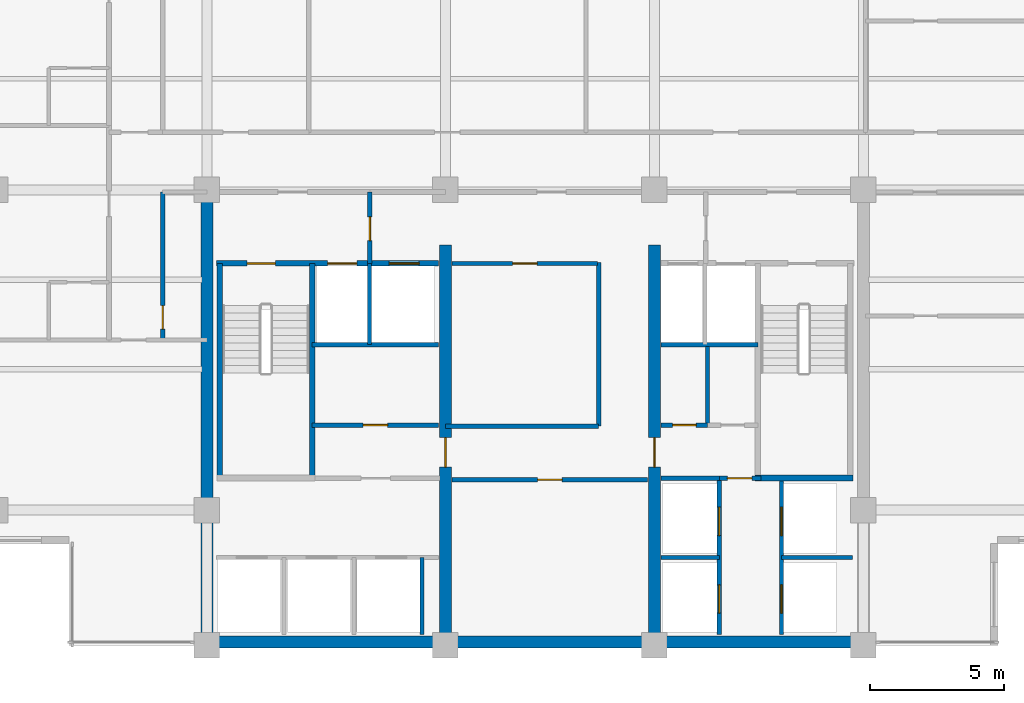
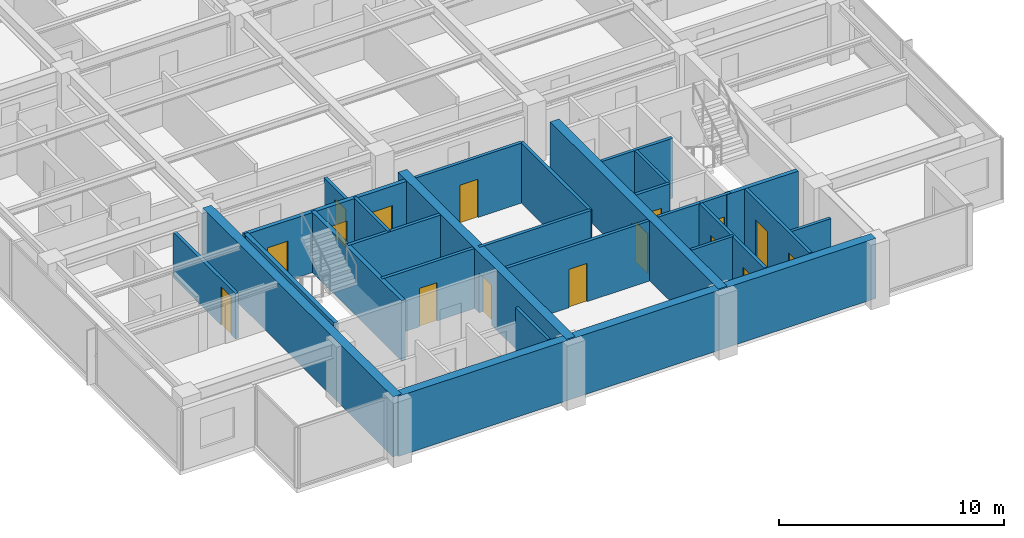
# One storey, part 7 of 14: 27 walls, 16 doors, 16 openings.
"""IFC4 building model written with IfcOpenShell, lengths in metres."""

from ifc_helpers import new_model, si_unit, direction, frame, frame_2d, origin, place, context, subcontext, project, spatial, rectangle, extrude, material, layer, layer_set, type_object, element, fill, save


model = new_model("IFC4")

# Units and contexts
model_context = context("Model", 3, precision=1e-05, world=origin(), true_north=direction((0.0, 1.0)))
body_context = subcontext(model_context, "Body", "Model", "MODEL_VIEW")
ifc_project = project(units=[si_unit("LENGTHUNIT", "METRE"), si_unit("AREAUNIT", "SQUARE_METRE"), si_unit("VOLUMEUNIT", "CUBIC_METRE"), si_unit("PLANEANGLEUNIT", "RADIAN"), si_unit("MASSUNIT", "GRAM", prefix="KILO")], contexts=[model_context])

# Site, building, storey
site_placement = place(None, origin())
site = spatial("IfcSite", under=ifc_project, at=site_placement, CompositionType="ELEMENT")
building_placement = place(site_placement, origin())
building = spatial("IfcBuilding", under=site, at=building_placement, Name="Qalmaran Belvedere Hotel", CompositionType="ELEMENT")
storey_placement = place(building_placement, frame((0.0, 0.0, 207.39990234375)))
storey = spatial("IfcBuildingStorey", under=building, at=storey_placement, Name="L52", CompositionType="ELEMENT", Elevation=207.39990234375)

# Wall
ifc_material_1 = material(Name="Concrete C50/60", Category="concrete")
ifc_layer_1 = layer(ifc_material_1, 0.449951171875, Name="Concrete C50/60")
ifc_layer_set_1 = layer_set([ifc_layer_1], Name="Concrete C50/60")
wall_type_1 = type_object("IfcWallType", Name="WL-CORE-450-C50", PredefinedType="SHEAR", material=ifc_layer_set_1)
wall_1_placement = place(storey_placement, frame((20.300048828125, 3.5, 0.0), z_axis=(0.0, 0.0, 1.0), x_axis=(0.0, 1.0, 0.0)))
element("IfcWall", 1, at=wall_1_placement, inside=storey, type_object=wall_type_1, Name="L52 West Core Shear Wall", PredefinedType="SHEAR", context=body_context, shape_type="SweptSolid", body=[
    extrude(rectangle(XDim=16.89990234375, YDim=0.449951171875, at=frame_2d((8.449951171875, 0.0))), origin(), (0.0, 0.0, 1.0), 3.260009765625),
])

# Wall, opening, door
wall_2_placement = place(storey_placement, frame((29.199951171875, 3.5, 0.0), z_axis=(0.0, 0.0, 1.0), x_axis=(0.0, 1.0, 0.0)))
wall_2 = element("IfcWall", 2, at=wall_2_placement, inside=storey, type_object=wall_type_1, Name="L52 Core West Spine Shear Wall", PredefinedType="SHEAR", context=body_context, shape_type="SweptSolid", body=[
    extrude(rectangle(XDim=14.949951171875, YDim=0.449951171875, at=frame_2d((7.47509765625, 0.0))), origin(), (0.0, 0.0, 1.0), 3.260009765625),
])
opening_1_placement = place(wall_2_placement, frame((7.75, 0.0, 0.0), z_axis=(0.0, 0.0, 1.0), x_axis=(-1.0, 0.0, 0.0)))
opening_1 = element("IfcOpeningElement", 3, at=opening_1_placement, cuts=wall_2, Name="Opening FD90", PredefinedType="OPENING", context=body_context, shape_type="SweptSolid", body=[
    extrude(rectangle(XDim=1.10009765625, YDim=2.14990234375, at=frame_2d((0.550048828125, 1.074951171875))), frame((0.0, 0.23486328125, 0.0), z_axis=(0.0, -1.0, 0.0), x_axis=(1.0, 0.0, 0.0)), (0.0, 0.0, 1.0), 0.469970703125),
])
ifc_material_2 = material(Name="Steel S355JR", Category="steel")
door_type_1 = type_object("IfcDoorType", Name="DR-FD90-1100X2150", OperationType="NOTDEFINED", PredefinedType="DOOR", material=ifc_material_2)
door_1_placement = place(opening_1_placement, origin())
door_1 = element("IfcDoor", 4, at=door_1_placement, inside=storey, type_object=door_type_1, Name="L52 Core West Cross-Lobby Door", OperationType="SINGLE_SWING_RIGHT", OverallHeight=2.14990234375, OverallWidth=1.10009765625, PredefinedType="DOOR", context=body_context, shape_type="SweptSolid", body=[
    extrude(rectangle(XDim=1.10009765625, YDim=2.14990234375, at=frame_2d((0.550048828125, 1.074951171875))), frame((0.0, 0.02490234375, 0.0), z_axis=(0.0, -1.0, 0.0), x_axis=(1.0, 0.0, 0.0)), (0.0, 0.0, 1.0), 0.050048828125),
])
fill(opening_1, door_1)

wall_3_placement = place(storey_placement, frame((37.0, 3.5, 0.0), z_axis=(0.0, 0.0, 1.0), x_axis=(0.0, 1.0, 0.0)))
wall_3 = element("IfcWall", 5, at=wall_3_placement, inside=storey, type_object=wall_type_1, Name="L52 Core East Spine Shear Wall", PredefinedType="SHEAR", context=body_context, shape_type="SweptSolid", body=[
    extrude(rectangle(XDim=14.949951171875, YDim=0.449951171875, at=frame_2d((7.47509765625, 0.0))), origin(), (0.0, 0.0, 1.0), 3.260009765625),
])
opening_2_placement = place(wall_3_placement, frame((6.64990234375, 0.0, 0.0)))
opening_2 = element("IfcOpeningElement", 6, at=opening_2_placement, cuts=wall_3, Name="Opening FD90", PredefinedType="OPENING", context=body_context, shape_type="SweptSolid", body=[
    extrude(rectangle(XDim=1.10009765625, YDim=2.14990234375, at=frame_2d((0.550048828125, 1.074951171875))), frame((0.0, 0.23486328125, 0.0), z_axis=(0.0, -1.0, 0.0), x_axis=(1.0, 0.0, 0.0)), (0.0, 0.0, 1.0), 0.469970703125),
])
door_2_placement = place(opening_2_placement, origin())
door_2 = element("IfcDoor", 7, at=door_2_placement, inside=storey, type_object=door_type_1, Name="L52 Core East Cross-Lobby Door", OperationType="SINGLE_SWING_LEFT", OverallHeight=2.14990234375, OverallWidth=1.10009765625, PredefinedType="DOOR", context=body_context, shape_type="SweptSolid", body=[
    extrude(rectangle(XDim=1.10009765625, YDim=2.14990234375, at=frame_2d((0.550048828125, 1.074951171875))), frame((0.0, 0.02490234375, 0.0), z_axis=(0.0, -1.0, 0.0), x_axis=(1.0, 0.0, 0.0)), (0.0, 0.0, 1.0), 0.050048828125),
])
fill(opening_2, door_2)

# Walls
ifc_layer_2 = layer(ifc_material_1, 0.43994140625, Name="Concrete C50/60")
ifc_layer_set_2 = layer_set([ifc_layer_2], Name="Concrete C50/60")
wall_type_2 = type_object("IfcWallType", Name="WL-CORES-440-EXT", PredefinedType="SHEAR", material=ifc_layer_set_2)
wall_4_placement = place(storey_placement, frame((20.300048828125, 3.6298828125, 0.0), z_axis=(0.0, 0.0, 1.0), x_axis=(1.0, 0.0, 0.0)))
element("IfcWall", 8, at=wall_4_placement, inside=storey, type_object=wall_type_2, Name="L52 South Core Shear Wall", PredefinedType="SHEAR", context=body_context, shape_type="SweptSolid", body=[
    extrude(rectangle(XDim=24.5, YDim=0.43994140625, at=frame_2d((12.25, 0.0))), origin(), (0.0, 0.0, 1.0), 3.260009765625),
])
ifc_material_3 = material(Name="Gypsum Stud Partition")
ifc_layer_3 = layer(ifc_material_3, 0.14990234375, Name="Gypsum Stud Partition")
ifc_layer_set_3 = layer_set([ifc_layer_3], Name="Gypsum Stud Partition")
wall_type_3 = type_object("IfcWallType", Name="WL-INT-150-EI120", PredefinedType="PARTITIONING", material=ifc_layer_set_3)
wall_5_placement = place(storey_placement, frame((26.360107421875, 14.719970703125, 0.0), z_axis=(0.0, 0.0, 1.0), x_axis=(0.0, 1.0, 0.0)))
element("IfcWall", 9, at=wall_5_placement, inside=storey, type_object=wall_type_3, Name="L52 Partition WL-FF1M-L52", PredefinedType="PARTITIONING", context=body_context, shape_type="SweptSolid", body=[
    extrude(rectangle(XDim=3.0400390625, YDim=0.14990234375, at=frame_2d((1.52001953125, 0.0))), origin(), (0.0, 0.0, 1.0), 3.260009765625),
])
wall_6_placement = place(storey_placement, frame((28.320068359375, 3.89990234375, 0.0), z_axis=(0.0, 0.0, 1.0), x_axis=(0.0, 1.0, 0.0)))
element("IfcWall", 10, at=wall_6_placement, inside=storey, type_object=wall_type_3, Name="L52 Partition WL-POM3-L52", PredefinedType="PARTITIONING", context=body_context, shape_type="SweptSolid", body=[
    extrude(rectangle(XDim=2.880126953125, YDim=0.14990234375, at=frame_2d((1.43994140625, 0.0))), origin(), (0.0, 0.0, 1.0), 3.260009765625),
])
wall_7_placement = place(storey_placement, frame((37.25, 6.780029296875, 0.0), z_axis=(0.0, 0.0, 1.0), x_axis=(1.0, 0.0, 0.0)))
element("IfcWall", 11, at=wall_7_placement, inside=storey, type_object=wall_type_3, Name="L52 Partition WL-PHMW-L52", PredefinedType="PARTITIONING", context=body_context, shape_type="SweptSolid", body=[
    extrude(rectangle(XDim=2.169921875, YDim=0.14990234375, at=frame_2d((1.0849609375, 0.0))), origin(), (0.0, 0.0, 1.0), 3.260009765625),
])
wall_8_placement = place(storey_placement, frame((41.739990234375, 6.780029296875, 0.0), z_axis=(0.0, 0.0, 1.0), x_axis=(1.0, 0.0, 0.0)))
element("IfcWall", 12, at=wall_8_placement, inside=storey, type_object=wall_type_3, Name="L52 Partition WL-PHME-L52", PredefinedType="PARTITIONING", context=body_context, shape_type="SweptSolid", body=[
    extrude(rectangle(XDim=2.659912109375, YDim=0.14990234375, at=frame_2d((1.330078125, 0.0))), origin(), (0.0, 0.0, 1.0), 2.47216796875),
])
ifc_layer_4 = layer(ifc_material_3, 0.14990234375, Name="Gypsum Stud Partition")
ifc_layer_set_4 = layer_set([ifc_layer_4], Name="Gypsum Stud Partition")
wall_type_4 = type_object("IfcWallType", Name="WL-INT-150-EI60", PredefinedType="PARTITIONING", material=ifc_layer_set_4)
wall_9_placement = place(storey_placement, frame((38.98291015625, 11.719970703125, 0.0), z_axis=(0.0, 0.0, 1.0), x_axis=(0.0, 1.0, 0.0)))
element("IfcWall", 13, at=wall_9_placement, inside=storey, type_object=wall_type_4, Name="L52 Partition WL-L52-KEV1", PredefinedType="PARTITIONING", context=body_context, shape_type="SweptSolid", body=[
    extrude(rectangle(XDim=2.929931640625, YDim=0.14990234375, at=frame_2d((1.46484375, 0.0))), origin(), (0.0, 0.0, 1.0), 3.260009765625),
])

# Wall, opening, door
ifc_layer_5 = layer(ifc_material_3, 0.159912109375, Name="Gypsum Stud Partition")
ifc_layer_set_5 = layer_set([ifc_layer_5], Name="Gypsum Stud Partition")
wall_type_5 = type_object("IfcWallType", Name="WL-INT-160-EI120", PredefinedType="PARTITIONING", material=ifc_layer_set_5)
wall_10_placement = place(storey_placement, frame((26.3798828125, 17.760009765625, 0.0), z_axis=(0.0, 0.0, 1.0), x_axis=(0.0, 1.0, 0.0)))
wall_10 = element("IfcWall", 14, at=wall_10_placement, inside=storey, type_object=wall_type_5, Name="L52 Partition WL-FFSV1-L52", PredefinedType="PARTITIONING", context=body_context, shape_type="SweptSolid", body=[
    extrude(rectangle(XDim=2.659912109375, YDim=0.159912109375, at=frame_2d((1.330078125, 0.0))), origin(), (0.0, 0.0, 1.0), 2.7060546875),
])
opening_3_placement = place(wall_10_placement, frame((0.85009765625, 0.0, 0.0)))
opening_3 = element("IfcOpeningElement", 15, at=opening_3_placement, cuts=wall_10, Name="Opening FD60B", PredefinedType="OPENING", context=body_context, shape_type="SweptSolid", body=[
    extrude(rectangle(XDim=0.8798828125, YDim=2.080078125, at=frame_2d((0.43994140625, 1.0400390625))), frame((0.0, 0.08984375, 0.0), z_axis=(0.0, -1.0, 0.0), x_axis=(1.0, 0.0, 0.0)), (0.0, 0.0, 1.0), 0.179931640625),
])
door_type_2 = type_object("IfcDoorType", Name="DR-FD60B-880X2080", OperationType="NOTDEFINED", PredefinedType="DOOR", material=ifc_material_2)
door_3_placement = place(opening_3_placement, origin())
door_3 = element("IfcDoor", 16, at=door_3_placement, inside=storey, type_object=door_type_2, Name="L52 Service Lobby West Door", OperationType="SINGLE_SWING_RIGHT", OverallHeight=2.080078125, OverallWidth=0.8798828125, PredefinedType="DOOR", context=body_context, shape_type="SweptSolid", body=[
    extrude(rectangle(XDim=0.8798828125, YDim=2.080078125, at=frame_2d((0.43994140625, 1.0400390625))), frame((0.0, 0.02490234375, 0.0), z_axis=(0.0, -1.0, 0.0), x_axis=(1.0, 0.0, 0.0)), (0.0, 0.0, 1.0), 0.050048828125),
])
fill(opening_3, door_3)

# Walls
wall_11_placement = place(storey_placement, frame((24.219970703125, 14.719970703125, 0.0), z_axis=(0.0, 0.0, 1.0), x_axis=(1.0, 0.0, 0.0)))
element("IfcWall", 17, at=wall_11_placement, inside=storey, type_object=wall_type_5, Name="L52 Partition WL-FF1S-L52", PredefinedType="PARTITIONING", context=body_context, shape_type="SweptSolid", body=[
    extrude(rectangle(XDim=4.72998046875, YDim=0.159912109375, at=frame_2d((2.364990234375, 0.0))), origin(), (0.0, 0.0, 1.0), 3.260009765625),
])
wall_12_placement = place(storey_placement, frame((37.25, 14.719970703125, 0.0), z_axis=(0.0, 0.0, 1.0), x_axis=(1.0, 0.0, 0.0)))
element("IfcWall", 18, at=wall_12_placement, inside=storey, type_object=wall_type_5, Name="L52 Partition WL-FF2S-L52", PredefinedType="PARTITIONING", context=body_context, shape_type="SweptSolid", body=[
    extrude(rectangle(XDim=3.610107421875, YDim=0.159912109375, at=frame_2d((1.80517578125, 0.0))), origin(), (0.0, 0.0, 1.0), 3.260009765625),
])

# Wall, openings, doors
wall_13_placement = place(storey_placement, frame((39.419921875, 3.89990234375, 0.0), z_axis=(0.0, 0.0, 1.0), x_axis=(0.0, 1.0, 0.0)))
wall_13 = element("IfcWall", 19, at=wall_13_placement, inside=storey, type_object=wall_type_5, Name="L52 Partition WL-PHW-L52", PredefinedType="PARTITIONING", context=body_context, shape_type="SweptSolid", body=[
    extrude(rectangle(XDim=5.840087890625, YDim=0.159912109375, at=frame_2d((2.919921875, 0.0))), origin(), (0.0, 0.0, 1.0), 3.260009765625),
])
opening_4_placement = place(wall_13_placement, frame((1.860107421875, 0.0, 0.0), z_axis=(0.0, 0.0, 1.0), x_axis=(-1.0, 0.0, 0.0)))
opening_4 = element("IfcOpeningElement", 20, at=opening_4_placement, cuts=wall_13, Name="Opening LD-P2", PredefinedType="OPENING", context=body_context, shape_type="SweptSolid", body=[
    extrude(rectangle(XDim=1.06005859375, YDim=2.159912109375, at=frame_2d((0.530029296875, 1.080078125))), frame((0.0, 0.08984375, 0.0), z_axis=(0.0, -1.0, 0.0), x_axis=(1.0, 0.0, 0.0)), (0.0, 0.0, 1.0), 0.179931640625),
])
opening_5_placement = place(wall_13_placement, frame((4.760009765625, 0.0, 0.0), z_axis=(0.0, 0.0, 1.0), x_axis=(-1.0, 0.0, 0.0)))
opening_5 = element("IfcOpeningElement", 21, at=opening_5_placement, cuts=wall_13, Name="Opening LD-P2", PredefinedType="OPENING", context=body_context, shape_type="SweptSolid", body=[
    extrude(rectangle(XDim=1.06005859375, YDim=2.159912109375, at=frame_2d((0.530029296875, 1.080078125))), frame((0.0, 0.08984375, 0.0), z_axis=(0.0, -1.0, 0.0), x_axis=(1.0, 0.0, 0.0)), (0.0, 0.0, 1.0), 0.179931640625),
])
ifc_material_4 = material(Name="Stainless Steel 1.4401", Category="steel")
door_type_3 = type_object("IfcDoorType", Name="DR-LIFT-P2-1060X2160", OperationType="DOUBLE_DOOR_SLIDING", PredefinedType="DOOR", material=ifc_material_4)
door_4_placement = place(opening_4_placement, origin())
door_4 = element("IfcDoor", 22, at=door_4_placement, inside=storey, type_object=door_type_3, Name="L52 PH1 Lift Landing Door", OperationType="DOUBLE_DOOR_SLIDING", OverallHeight=2.159912109375, OverallWidth=1.06005859375, PredefinedType="DOOR", context=body_context, shape_type="SweptSolid", body=[
    extrude(rectangle(XDim=1.06005859375, YDim=2.159912109375, at=frame_2d((0.530029296875, 1.080078125))), frame((0.0, 0.02490234375, 0.0), z_axis=(0.0, -1.0, 0.0), x_axis=(1.0, 0.0, 0.0)), (0.0, 0.0, 1.0), 0.050048828125),
])
fill(opening_4, door_4)
door_5_placement = place(opening_5_placement, origin())
door_5 = element("IfcDoor", 23, at=door_5_placement, inside=storey, type_object=door_type_3, Name="L52 PH2 Lift Landing Door", OperationType="DOUBLE_DOOR_SLIDING", OverallHeight=2.159912109375, OverallWidth=1.06005859375, PredefinedType="DOOR", context=body_context, shape_type="SweptSolid", body=[
    extrude(rectangle(XDim=1.06005859375, YDim=2.159912109375, at=frame_2d((0.530029296875, 1.080078125))), frame((0.0, 0.02490234375, 0.0), z_axis=(0.0, -1.0, 0.0), x_axis=(1.0, 0.0, 0.0)), (0.0, 0.0, 1.0), 0.050048828125),
])
fill(opening_5, door_5)

wall_14_placement = place(storey_placement, frame((41.739990234375, 3.89990234375, 0.0), z_axis=(0.0, 0.0, 1.0), x_axis=(0.0, 1.0, 0.0)))
wall_14 = element("IfcWall", 24, at=wall_14_placement, inside=storey, type_object=wall_type_5, Name="L52 Partition WL-PHE-L52", PredefinedType="PARTITIONING", context=body_context, shape_type="SweptSolid", body=[
    extrude(rectangle(XDim=5.840087890625, YDim=0.159912109375, at=frame_2d((2.919921875, 0.0))), origin(), (0.0, 0.0, 1.0), 3.260009765625),
])
opening_6_placement = place(wall_14_placement, frame((0.800048828125, 0.0, 0.0)))
opening_6 = element("IfcOpeningElement", 25, at=opening_6_placement, cuts=wall_14, Name="Opening LD-P2", PredefinedType="OPENING", context=body_context, shape_type="SweptSolid", body=[
    extrude(rectangle(XDim=1.06005859375, YDim=2.159912109375, at=frame_2d((0.530029296875, 1.080078125))), frame((0.0, 0.08984375, 0.0), z_axis=(0.0, -1.0, 0.0), x_axis=(1.0, 0.0, 0.0)), (0.0, 0.0, 1.0), 0.179931640625),
])
opening_7_placement = place(wall_14_placement, frame((3.699951171875, 0.0, 0.0)))
opening_7 = element("IfcOpeningElement", 26, at=opening_7_placement, cuts=wall_14, Name="Opening LD-P2", PredefinedType="OPENING", context=body_context, shape_type="SweptSolid", body=[
    extrude(rectangle(XDim=1.06005859375, YDim=2.159912109375, at=frame_2d((0.530029296875, 1.080078125))), frame((0.0, 0.08984375, 0.0), z_axis=(0.0, -1.0, 0.0), x_axis=(1.0, 0.0, 0.0)), (0.0, 0.0, 1.0), 0.179931640625),
])
door_6_placement = place(opening_6_placement, origin())
door_6 = element("IfcDoor", 27, at=door_6_placement, inside=storey, type_object=door_type_3, Name="L52 PH3 Lift Landing Door", OperationType="DOUBLE_DOOR_SLIDING", OverallHeight=2.159912109375, OverallWidth=1.06005859375, PredefinedType="DOOR", context=body_context, shape_type="SweptSolid", body=[
    extrude(rectangle(XDim=1.06005859375, YDim=2.159912109375, at=frame_2d((0.530029296875, 1.080078125))), frame((0.0, 0.02490234375, 0.0), z_axis=(0.0, -1.0, 0.0), x_axis=(1.0, 0.0, 0.0)), (0.0, 0.0, 1.0), 0.050048828125),
])
fill(opening_6, door_6)
door_7_placement = place(opening_7_placement, origin())
door_7 = element("IfcDoor", 28, at=door_7_placement, inside=storey, type_object=door_type_3, Name="L52 PH4 Lift Landing Door", OperationType="DOUBLE_DOOR_SLIDING", OverallHeight=2.159912109375, OverallWidth=1.06005859375, PredefinedType="DOOR", context=body_context, shape_type="SweptSolid", body=[
    extrude(rectangle(XDim=1.06005859375, YDim=2.159912109375, at=frame_2d((0.530029296875, 1.080078125))), frame((0.0, 0.02490234375, 0.0), z_axis=(0.0, -1.0, 0.0), x_axis=(1.0, 0.0, 0.0)), (0.0, 0.0, 1.0), 0.050048828125),
])
fill(opening_7, door_7)

# Wall
wall_15_placement = place(storey_placement, frame((37.25, 9.739990234375, 0.0), z_axis=(0.0, 0.0, 1.0), x_axis=(1.0, 0.0, 0.0)))
element("IfcWall", 29, at=wall_15_placement, inside=storey, type_object=wall_type_5, Name="L52 Partition WL-PHNW-L52", PredefinedType="PARTITIONING", context=body_context, shape_type="SweptSolid", body=[
    extrude(rectangle(XDim=2.169921875, YDim=0.159912109375, at=frame_2d((1.0849609375, 0.0))), origin(), (0.0, 0.0, 1.0), 3.260009765625),
])

# Wall, opening, door
wall_16_placement = place(storey_placement, frame((39.419921875, 9.739990234375, 0.0), z_axis=(0.0, 0.0, 1.0), x_axis=(1.0, 0.0, 0.0)))
wall_16 = element("IfcWall", 30, at=wall_16_placement, inside=storey, type_object=wall_type_5, Name="L52 Partition WL-PHNL-L52", PredefinedType="PARTITIONING", context=body_context, shape_type="SweptSolid", body=[
    extrude(rectangle(XDim=1.56005859375, YDim=0.159912109375, at=frame_2d((0.780029296875, 0.0))), origin(), (0.0, 0.0, 1.0), 3.260009765625),
])
opening_8_placement = place(wall_16_placement, frame((0.300048828125, 0.0, 0.0)))
opening_8 = element("IfcOpeningElement", 31, at=opening_8_placement, cuts=wall_16, Name="Opening FD60S1", PredefinedType="OPENING", context=body_context, shape_type="SweptSolid", body=[
    extrude(rectangle(XDim=0.919921875, YDim=2.080078125, at=frame_2d((0.4599609375, 1.0400390625))), frame((0.0, 0.08984375, 0.0), z_axis=(0.0, -1.0, 0.0), x_axis=(1.0, 0.0, 0.0)), (0.0, 0.0, 1.0), 0.179931640625),
])
ifc_material_5 = material(Name="Engineered Oak Veneer")
door_type_4 = type_object("IfcDoorType", Name="DR-FD60S-920X2080", OperationType="NOTDEFINED", PredefinedType="DOOR", material=ifc_material_5)
door_8_placement = place(opening_8_placement, origin())
door_8 = element("IfcDoor", 32, at=door_8_placement, inside=storey, type_object=door_type_4, Name="L52 High-Rise Lift Lobby Passage Door", OperationType="SINGLE_SWING_LEFT", OverallHeight=2.080078125, OverallWidth=0.919921875, PredefinedType="DOOR", context=body_context, shape_type="SweptSolid", body=[
    extrude(rectangle(XDim=0.919921875, YDim=2.080078125, at=frame_2d((0.4599609375, 1.0400390625))), frame((0.0, 0.02490234375, 0.0), z_axis=(0.0, -1.0, 0.0), x_axis=(1.0, 0.0, 0.0)), (0.0, 0.0, 1.0), 0.050048828125),
])
fill(opening_8, door_8)

ifc_layer_6 = layer(ifc_material_3, 0.159912109375, Name="Gypsum Stud Partition")
ifc_layer_set_6 = layer_set([ifc_layer_6], Name="Gypsum Stud Partition")
wall_type_6 = type_object("IfcWallType", Name="WL-INT-160-EI60", PredefinedType="PARTITIONING", material=ifc_layer_set_6)
wall_17_placement = place(storey_placement, frame((24.219970703125, 11.719970703125, 0.0), z_axis=(0.0, 0.0, 1.0), x_axis=(1.0, 0.0, 0.0)))
wall_17 = element("IfcWall", 33, at=wall_17_placement, inside=storey, type_object=wall_type_6, Name="L52 Partition WL-L52-KWE1", PredefinedType="PARTITIONING", context=body_context, shape_type="SweptSolid", body=[
    extrude(rectangle(XDim=4.72998046875, YDim=0.159912109375, at=frame_2d((2.364990234375, 0.0))), origin(), (0.0, 0.0, 1.0), 3.260009765625),
])
opening_9_placement = place(wall_17_placement, frame((1.905029296875, 0.0, 0.0)))
opening_9 = element("IfcOpeningElement", 34, at=opening_9_placement, cuts=wall_17, Name="Opening FD60S1", PredefinedType="OPENING", context=body_context, shape_type="SweptSolid", body=[
    extrude(rectangle(XDim=0.919921875, YDim=2.080078125, at=frame_2d((0.4599609375, 1.0400390625))), frame((0.0, 0.08984375, 0.0), z_axis=(0.0, -1.0, 0.0), x_axis=(1.0, 0.0, 0.0)), (0.0, 0.0, 1.0), 0.179931640625),
])
door_9_placement = place(opening_9_placement, origin())
door_9 = element("IfcDoor", 35, at=door_9_placement, inside=storey, type_object=door_type_4, Name="L52 Electrical Distribution Room Door", OperationType="SINGLE_SWING_LEFT", OverallHeight=2.080078125, OverallWidth=0.919921875, PredefinedType="DOOR", context=body_context, shape_type="SweptSolid", body=[
    extrude(rectangle(XDim=0.919921875, YDim=2.080078125, at=frame_2d((0.4599609375, 1.0400390625))), frame((0.0, 0.02490234375, 0.0), z_axis=(0.0, -1.0, 0.0), x_axis=(1.0, 0.0, 0.0)), (0.0, 0.0, 1.0), 0.050048828125),
])
fill(opening_9, door_9)

wall_18_placement = place(storey_placement, frame((37.25, 11.719970703125, 0.0), z_axis=(0.0, 0.0, 1.0), x_axis=(1.0, 0.0, 0.0)))
wall_18 = element("IfcWall", 36, at=wall_18_placement, inside=storey, type_object=wall_type_6, Name="L52 Partition WL-L52-KEE1", PredefinedType="PARTITIONING", context=body_context, shape_type="SweptSolid", body=[
    extrude(rectangle(XDim=1.73291015625, YDim=0.159912109375, at=frame_2d((0.866455078125, 0.0))), origin(), (0.0, 0.0, 1.0), 3.260009765625),
])
opening_10_placement = place(wall_18_placement, frame((0.426513671875, 0.0, 0.0)))
opening_10 = element("IfcOpeningElement", 37, at=opening_10_placement, cuts=wall_18, Name="Opening FD60B", PredefinedType="OPENING", context=body_context, shape_type="SweptSolid", body=[
    extrude(rectangle(XDim=0.8798828125, YDim=2.080078125, at=frame_2d((0.43994140625, 1.0400390625))), frame((0.0, 0.08984375, 0.0), z_axis=(0.0, -1.0, 0.0), x_axis=(1.0, 0.0, 0.0)), (0.0, 0.0, 1.0), 0.179931640625),
])
door_10_placement = place(opening_10_placement, origin())
door_10 = element("IfcDoor", 38, at=door_10_placement, inside=storey, type_object=door_type_2, Name="L52 Cleaner Equipment Store Door", OperationType="SINGLE_SWING_RIGHT", OverallHeight=2.080078125, OverallWidth=0.8798828125, PredefinedType="DOOR", context=body_context, shape_type="SweptSolid", body=[
    extrude(rectangle(XDim=0.8798828125, YDim=2.080078125, at=frame_2d((0.43994140625, 1.0400390625))), frame((0.0, 0.02490234375, 0.0), z_axis=(0.0, -1.0, 0.0), x_axis=(1.0, 0.0, 0.0)), (0.0, 0.0, 1.0), 0.050048828125),
])
fill(opening_10, door_10)

# Wall
wall_19_placement = place(storey_placement, frame((34.919921875, 11.679931640625, 0.0), z_axis=(0.0, 0.0, 1.0), x_axis=(0.0, 1.0, 0.0)))
element("IfcWall", 39, at=wall_19_placement, inside=storey, type_object=wall_type_6, Name="L52 Partition WL-CLLV-L52", PredefinedType="PARTITIONING", context=body_context, shape_type="SweptSolid", body=[
    extrude(rectangle(XDim=6.10009765625, YDim=0.159912109375, at=frame_2d((3.050048828125, 0.0))), origin(), (0.0, 0.0, 1.0), 3.260009765625),
])

# Wall, opening, door
wall_20_placement = place(storey_placement, frame((29.449951171875, 9.679931640625, 0.0), z_axis=(0.0, 0.0, 1.0), x_axis=(1.0, 0.0, 0.0)))
wall_20 = element("IfcWall", 40, at=wall_20_placement, inside=storey, type_object=wall_type_6, Name="L52 Partition WL-L52-KPLE1", PredefinedType="PARTITIONING", context=body_context, shape_type="SweptSolid", body=[
    extrude(rectangle(XDim=7.300048828125, YDim=0.159912109375, at=frame_2d((3.64990234375, 0.0))), origin(), (0.0, 0.0, 1.0), 3.260009765625),
])
opening_11_placement = place(wall_20_placement, frame((4.10986328125, 0.0, 0.0), z_axis=(0.0, 0.0, 1.0), x_axis=(-1.0, 0.0, 0.0)))
opening_11 = element("IfcOpeningElement", 41, at=opening_11_placement, cuts=wall_20, Name="Opening FD60S1", PredefinedType="OPENING", context=body_context, shape_type="SweptSolid", body=[
    extrude(rectangle(XDim=0.919921875, YDim=2.080078125, at=frame_2d((0.4599609375, 1.0400390625))), frame((0.0, 0.08984375, 0.0), z_axis=(0.0, -1.0, 0.0), x_axis=(1.0, 0.0, 0.0)), (0.0, 0.0, 1.0), 0.179931640625),
])
door_11_placement = place(opening_11_placement, origin())
door_11 = element("IfcDoor", 42, at=door_11_placement, inside=storey, type_object=door_type_4, Name="L52 Housekeeping and Linen Room Door", OperationType="SINGLE_SWING_RIGHT", OverallHeight=2.080078125, OverallWidth=0.919921875, PredefinedType="DOOR", context=body_context, shape_type="SweptSolid", body=[
    extrude(rectangle(XDim=0.919921875, YDim=2.080078125, at=frame_2d((0.4599609375, 1.0400390625))), frame((0.0, 0.02490234375, 0.0), z_axis=(0.0, -1.0, 0.0), x_axis=(1.0, 0.0, 0.0)), (0.0, 0.0, 1.0), 0.050048828125),
])
fill(opening_11, door_11)

# Wall
wall_21_placement = place(storey_placement, frame((29.199951171875, 11.679931640625, 0.0), z_axis=(0.0, 0.0, 1.0), x_axis=(1.0, 0.0, 0.0)))
element("IfcWall", 43, at=wall_21_placement, inside=storey, type_object=wall_type_6, Name="L52 Partition WL-PMFS-L52", PredefinedType="PARTITIONING", context=body_context, shape_type="SweptSolid", body=[
    extrude(rectangle(XDim=5.719970703125, YDim=0.159912109375, at=frame_2d((2.85986328125, 0.0))), origin(), (0.0, 0.0, 1.0), 3.260009765625),
])

# Wall, opening, door
wall_22_placement = place(storey_placement, frame((29.449951171875, 17.75, 0.0), z_axis=(0.0, 0.0, 1.0), x_axis=(1.0, 0.0, 0.0)))
wall_22 = element("IfcWall", 44, at=wall_22_placement, inside=storey, type_object=wall_type_6, Name="L52 Partition WL-L52-KPME1", PredefinedType="PARTITIONING", context=body_context, shape_type="SweptSolid", body=[
    extrude(rectangle(XDim=5.429931640625, YDim=0.159912109375, at=frame_2d((2.71484375, 0.0))), origin(), (0.0, 0.0, 1.0), 3.260009765625),
])
opening_12_placement = place(wall_22_placement, frame((3.1748046875, 0.0, 0.0), z_axis=(0.0, 0.0, 1.0), x_axis=(-1.0, 0.0, 0.0)))
opening_12 = element("IfcOpeningElement", 45, at=opening_12_placement, cuts=wall_22, Name="Opening FD60S1", PredefinedType="OPENING", context=body_context, shape_type="SweptSolid", body=[
    extrude(rectangle(XDim=0.919921875, YDim=2.080078125, at=frame_2d((0.4599609375, 1.0400390625))), frame((0.0, 0.08984375, 0.0), z_axis=(0.0, -1.0, 0.0), x_axis=(1.0, 0.0, 0.0)), (0.0, 0.0, 1.0), 0.179931640625),
])
door_12_placement = place(opening_12_placement, origin())
door_12 = element("IfcDoor", 46, at=door_12_placement, inside=storey, type_object=door_type_4, Name="L52 Executive Butler Pantry Door", OperationType="SINGLE_SWING_LEFT", OverallHeight=2.080078125, OverallWidth=0.919921875, PredefinedType="DOOR", context=body_context, shape_type="SweptSolid", body=[
    extrude(rectangle(XDim=0.919921875, YDim=2.080078125, at=frame_2d((0.4599609375, 1.0400390625))), frame((0.0, 0.02490234375, 0.0), z_axis=(0.0, -1.0, 0.0), x_axis=(1.0, 0.0, 0.0)), (0.0, 0.0, 1.0), 0.050048828125),
])
fill(opening_12, door_12)

wall_23_placement = place(storey_placement, frame((18.64990234375, 14.89990234375, 0.0), z_axis=(0.0, 0.0, 1.0), x_axis=(0.0, 1.0, 0.0)))
wall_23 = element("IfcWall", 47, at=wall_23_placement, inside=storey, type_object=wall_type_6, Name="L52 Partition WL-L52-WCL", PredefinedType="PARTITIONING", context=body_context, shape_type="SweptSolid", body=[
    extrude(rectangle(XDim=5.52001953125, YDim=0.159912109375, at=frame_2d((2.760009765625, 0.0))), origin(), (0.0, 0.0, 1.0), 2.47216796875),
])
opening_13_placement = place(wall_23_placement, frame((1.27978515625, 0.0, 0.0), z_axis=(0.0, 0.0, 1.0), x_axis=(-1.0, 0.0, 0.0)))
opening_13 = element("IfcOpeningElement", 48, at=opening_13_placement, cuts=wall_23, Name="Opening FD60B", PredefinedType="OPENING", context=body_context, shape_type="SweptSolid", body=[
    extrude(rectangle(XDim=0.8798828125, YDim=2.080078125, at=frame_2d((0.43994140625, 1.0400390625))), frame((0.0, 0.08984375, 0.0), z_axis=(0.0, -1.0, 0.0), x_axis=(1.0, 0.0, 0.0)), (0.0, 0.0, 1.0), 0.179931640625),
])
door_13_placement = place(opening_13_placement, origin())
door_13 = element("IfcDoor", 49, at=door_13_placement, inside=storey, type_object=door_type_2, Name="L52 West Closet Door", OperationType="SINGLE_SWING_LEFT", OverallHeight=2.080078125, OverallWidth=0.8798828125, PredefinedType="DOOR", context=body_context, shape_type="SweptSolid", body=[
    extrude(rectangle(XDim=0.8798828125, YDim=2.080078125, at=frame_2d((0.43994140625, 1.0400390625))), frame((0.0, 0.02490234375, 0.0), z_axis=(0.0, -1.0, 0.0), x_axis=(1.0, 0.0, 0.0)), (0.0, 0.0, 1.0), 0.050048828125),
])
fill(opening_13, door_13)

# Walls
ifc_layer_7 = layer(ifc_material_1, 0.2099609375, Name="Concrete C50/60")
ifc_layer_set_7 = layer_set([ifc_layer_7], Name="Concrete C50/60")
wall_type_7 = type_object("IfcWallType", Name="WL-STAIR-210-C50", PredefinedType="SHEAR", material=ifc_layer_set_7)
for number, where, z_axis, x_axis, name in (
    (50, (20.77490234375, 9.7451171875, 0.0), (0.0, 0.0, 1.0), (0.0, 1.0, 0.0), "L52 Stair ST-1 West Bearing Wall"),
    (51, (24.22509765625, 9.7451171875, 0.0), (0.0, 0.0, 1.0), (0.0, 1.0, 0.0), "L52 Stair ST-1 East Bearing Wall"),
):
    element("IfcWall", number, at=place(storey_placement, frame(where, z_axis=z_axis, x_axis=x_axis)), inside=storey, type_object=wall_type_7, Name=name, PredefinedType="SHEAR", context=body_context, shape_type="SweptSolid", body=[
        extrude(rectangle(XDim=8.009765625, YDim=0.2099609375, at=frame_2d((4.0048828125, 0.0))), origin(), (0.0, 0.0, 1.0), 3.260009765625),
    ])

# Wall, openings, doors
wall_24_placement = place(storey_placement, frame((20.64990234375, 17.7548828125, 0.0), z_axis=(0.0, 0.0, 1.0), x_axis=(1.0, 0.0, 0.0)))
wall_24 = element("IfcWall", 52, at=wall_24_placement, inside=storey, type_object=wall_type_7, Name="L52 West Lobby and Stair ST-1 North Bearing Wall", PredefinedType="SHEAR", context=body_context, shape_type="SweptSolid", body=[
    extrude(rectangle(XDim=8.300048828125, YDim=0.2099609375, at=frame_2d((4.14990234375, 0.0))), origin(), (0.0, 0.0, 1.0), 3.260009765625),
])
opening_14_placement = place(wall_24_placement, frame((2.199951171875, 0.0, 0.0), z_axis=(0.0, 0.0, 1.0), x_axis=(-1.0, 0.0, 0.0)))
opening_14 = element("IfcOpeningElement", 53, at=opening_14_placement, cuts=wall_24, Name="Opening FD90S2", PredefinedType="OPENING", context=body_context, shape_type="SweptSolid", body=[
    extrude(rectangle(XDim=1.050048828125, YDim=2.14990234375, at=frame_2d((0.52490234375, 1.074951171875))), frame((0.0, 0.114990234375, 0.0), z_axis=(0.0, -1.0, 0.0), x_axis=(1.0, 0.0, 0.0)), (0.0, 0.0, 1.0), 0.22998046875),
])
opening_15_placement = place(wall_24_placement, frame((4.14990234375, 0.0, 0.0)))
opening_15 = element("IfcOpeningElement", 54, at=opening_15_placement, cuts=wall_24, Name="Opening LD-FF", PredefinedType="OPENING", context=body_context, shape_type="SweptSolid", body=[
    extrude(rectangle(XDim=1.10009765625, YDim=2.179931640625, at=frame_2d((0.550048828125, 1.08984375))), frame((0.0, 0.114990234375, 0.0), z_axis=(0.0, -1.0, 0.0), x_axis=(1.0, 0.0, 0.0)), (0.0, 0.0, 1.0), 0.22998046875),
])
opening_16_placement = place(wall_24_placement, frame((6.449951171875, 0.0, 0.0)))
opening_16 = element("IfcOpeningElement", 55, at=opening_16_placement, cuts=wall_24, Name="Opening LD-SV", PredefinedType="OPENING", context=body_context, shape_type="SweptSolid", body=[
    extrude(rectangle(XDim=1.1201171875, YDim=2.199951171875, at=frame_2d((0.56005859375, 1.10009765625))), frame((0.0, 0.114990234375, 0.0), z_axis=(0.0, -1.0, 0.0), x_axis=(1.0, 0.0, 0.0)), (0.0, 0.0, 1.0), 0.22998046875),
])
door_type_5 = type_object("IfcDoorType", Name="DR-FD90S-1050X2150", OperationType="NOTDEFINED", PredefinedType="DOOR", material=ifc_material_2)
door_14_placement = place(opening_14_placement, origin())
door_14 = element("IfcDoor", 56, at=door_14_placement, inside=storey, type_object=door_type_5, Name="L52 Stair ST-1 Door", OperationType="SINGLE_SWING_RIGHT", OverallHeight=2.14990234375, OverallWidth=1.050048828125, PredefinedType="DOOR", context=body_context, shape_type="SweptSolid", body=[
    extrude(rectangle(XDim=1.050048828125, YDim=2.14990234375, at=frame_2d((0.52490234375, 1.074951171875))), frame((0.0, 0.02490234375, 0.0), z_axis=(0.0, -1.0, 0.0), x_axis=(1.0, 0.0, 0.0)), (0.0, 0.0, 1.0), 0.050048828125),
])
fill(opening_14, door_14)
door_type_6 = type_object("IfcDoorType", Name="DR-LIFT-FF-1100X2180", OperationType="DOUBLE_DOOR_SLIDING", PredefinedType="DOOR", material=ifc_material_4)
door_15_placement = place(opening_15_placement, origin())
door_15 = element("IfcDoor", 57, at=door_15_placement, inside=storey, type_object=door_type_6, Name="L52 FF1 Lift Landing Door", OperationType="DOUBLE_DOOR_SLIDING", OverallHeight=2.179931640625, OverallWidth=1.10009765625, PredefinedType="DOOR", context=body_context, shape_type="SweptSolid", body=[
    extrude(rectangle(XDim=1.10009765625, YDim=2.179931640625, at=frame_2d((0.550048828125, 1.08984375))), frame((0.0, 0.02490234375, 0.0), z_axis=(0.0, -1.0, 0.0), x_axis=(1.0, 0.0, 0.0)), (0.0, 0.0, 1.0), 0.050048828125),
])
fill(opening_15, door_15)
door_type_7 = type_object("IfcDoorType", Name="DR-LIFT-SV-1120X2200", OperationType="DOUBLE_DOOR_SLIDING", PredefinedType="DOOR", material=ifc_material_4)
door_16_placement = place(opening_16_placement, origin())
door_16 = element("IfcDoor", 58, at=door_16_placement, inside=storey, type_object=door_type_7, Name="L52 SV1 Lift Landing Door", OperationType="DOUBLE_DOOR_SLIDING", OverallHeight=2.199951171875, OverallWidth=1.1201171875, PredefinedType="DOOR", context=body_context, shape_type="SweptSolid", body=[
    extrude(rectangle(XDim=1.1201171875, YDim=2.199951171875, at=frame_2d((0.56005859375, 1.10009765625))), frame((0.0, 0.02490234375, 0.0), z_axis=(0.0, -1.0, 0.0), x_axis=(1.0, 0.0, 0.0)), (0.0, 0.0, 1.0), 0.050048828125),
])
fill(opening_16, door_16)

# Wall
wall_25_placement = place(storey_placement, frame((40.75, 9.7451171875, 0.0), z_axis=(0.0, 0.0, 1.0), x_axis=(1.0, 0.0, 0.0)))
element("IfcWall", 59, at=wall_25_placement, inside=storey, type_object=wall_type_7, Name="L52 Stair ST-2 South Bearing Wall", PredefinedType="SHEAR", context=body_context, shape_type="SweptSolid", body=[
    extrude(rectangle(XDim=3.659912109375, YDim=0.2099609375, at=frame_2d((1.830078125, 0.0))), origin(), (0.0, 0.0, 1.0), 3.260009765625),
])

save(model, "model.ifc")
